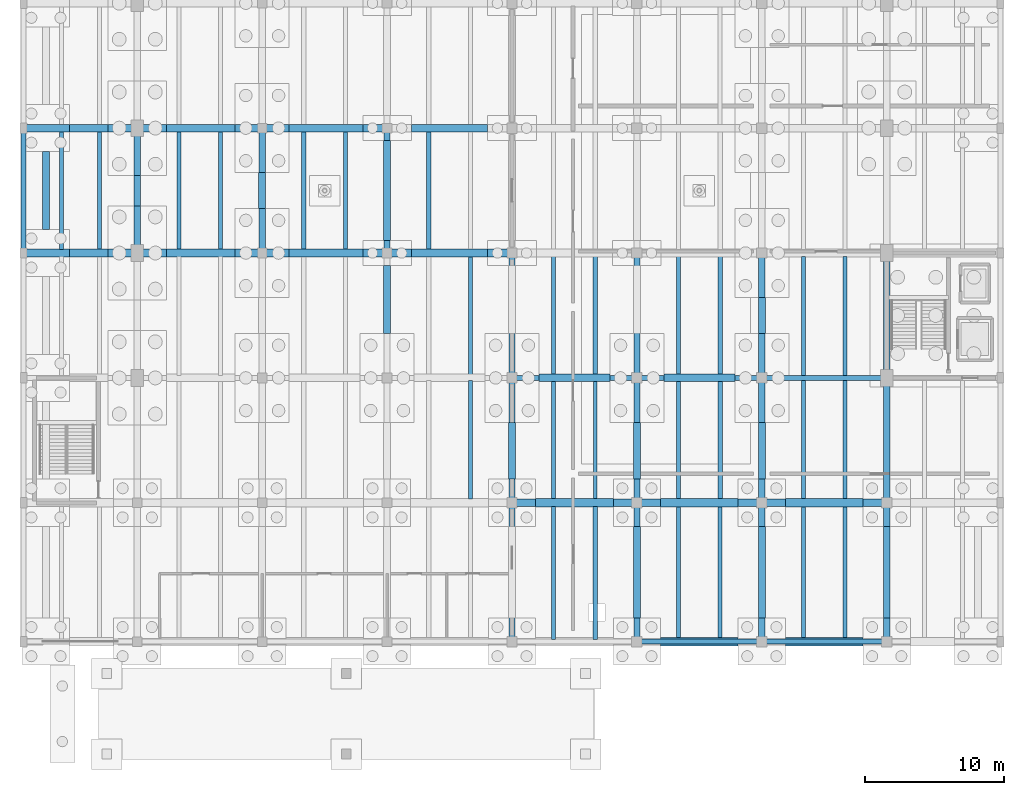
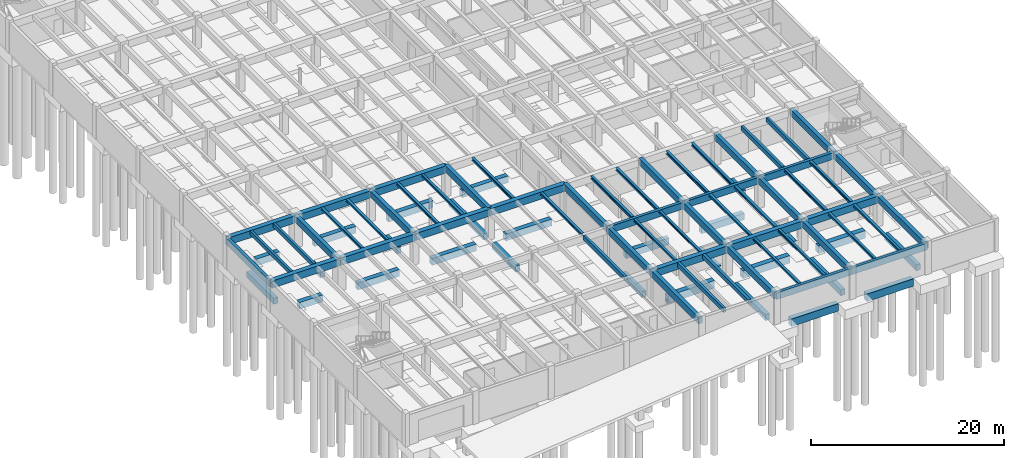
# One storey, part 12 of 23: 85 beams.
"""IFC4 building model written with IfcOpenShell, lengths in metres."""

import ifcopenshell
import ifcopenshell.guid

model = None  # the IFC model being written
_history = None  # IfcOwnerHistory: only IFC2X3 demands one
_inside = {}  # id of a spatial element -> (the spatial element, [elements in it])
_under = {}  # id of a project, library or spatial element -> (it, [spatial elements below it])
_declared = {}  # id of a project -> (the project, [libraries it declares])
_typed = {}  # id of a type object -> (the type object, [elements of that type])
_made_of = {}  # id of a material, layer set ... -> (it, [elements and type objects made of it])


def new_model(schema):
    """Start an empty IFC model of exactly this schema.

    Asked for "IFC4X3", IfcOpenShell would pick the latest addendum, in which some entities
    have other attributes; the version numbers below select the first issue.
    IFC2X3 requires an IfcOwnerHistory on every rooted entity: one is made here for all.
    """
    global model, _history
    if schema == "IFC4X3":
        model = ifcopenshell.file(schema_version=(4, 3, 0, 0))
    else:
        model = ifcopenshell.file(schema=schema)
    _inside.clear()
    _under.clear()
    _declared.clear()
    _typed.clear()
    _made_of.clear()
    _history = None
    if model.schema == "IFC2X3":
        org = make("IfcOrganization", Name="unknown")
        user = make(
            "IfcPersonAndOrganization",
            ThePerson=make("IfcPerson", FamilyName="unknown"),
            TheOrganization=org,
        )
        app = make(
            "IfcApplication",
            ApplicationDeveloper=org,
            Version="unknown",
            ApplicationFullName="unknown",
            ApplicationIdentifier="unknown",
        )
        _history = make(
            "IfcOwnerHistory",
            OwningUser=user,
            OwningApplication=app,
            ChangeAction="ADDED",
            CreationDate=0,
        )
    return model


def make(cls, **values):
    """One entity of the class cls with the attributes given. An attribute that is None is left unset."""
    return model.create_entity(
        cls, **{name: value for name, value in values.items() if value is not None}
    )


def rooted(cls, **values):
    """An entity with a GlobalId (a new one), such as an element, a storey or a relation."""
    return make(cls, GlobalId=ifcopenshell.guid.new(), OwnerHistory=_history, **values)


def si_unit(unit_type, name, prefix=None):
    """IfcSIUnit, for example si_unit("LENGTHUNIT", "METRE", prefix="MILLI")."""
    return make("IfcSIUnit", UnitType=unit_type, Prefix=prefix, Name=name)


def assignment(units):
    """IfcUnitAssignment: the units of a project."""
    return None if units is None else make("IfcUnitAssignment", Units=units)


def point(xyz):
    """IfcCartesianPoint."""
    return None if xyz is None else make("IfcCartesianPoint", Coordinates=xyz)


def direction(xyz):
    """IfcDirection."""
    return None if xyz is None else make("IfcDirection", DirectionRatios=xyz)


def frame(location, z_axis=None, x_axis=None):
    """IfcAxis2Placement3D, a coordinate frame: its origin and axes. An axis left out is left unset."""
    return make(
        "IfcAxis2Placement3D",
        Location=point(location),
        Axis=direction(z_axis),
        RefDirection=direction(x_axis),
    )


def frame_2d(location, x_axis=None):
    """IfcAxis2Placement2D, a coordinate frame in the plane: its origin and x axis."""
    return make(
        "IfcAxis2Placement2D", Location=point(location), RefDirection=direction(x_axis)
    )


def origin():
    """The frame at (0, 0, 0) with its axes left unset."""
    return frame((0.0, 0.0, 0.0))


def origin_2d():
    """The frame at (0, 0) in the plane with its x axis left unset."""
    return frame_2d((0.0, 0.0))


def place(relative_to, where):
    """IfcLocalPlacement: puts the frame where relative to a parent placement (None: the world)."""
    return make(
        "IfcLocalPlacement", PlacementRelTo=relative_to, RelativePlacement=where
    )


def context(
    kind, dimensions, precision=None, world=None, true_north=None, identifier=None
):
    """IfcGeometricRepresentationContext, for example the 3D "Model" context."""
    return make(
        "IfcGeometricRepresentationContext",
        ContextIdentifier=identifier,
        ContextType=kind,
        CoordinateSpaceDimension=dimensions,
        Precision=precision,
        WorldCoordinateSystem=world,
        TrueNorth=true_north,
    )


def subcontext(parent, identifier, kind, view, scale=None):
    """IfcGeometricRepresentationSubContext, for example "Body" below "Model"."""
    return make(
        "IfcGeometricRepresentationSubContext",
        ContextIdentifier=identifier,
        ContextType=kind,
        ParentContext=parent,
        TargetScale=scale,
        TargetView=view,
    )


def project(units=None, contexts=None):
    """IfcProject with its units and contexts."""
    return rooted(
        "IfcProject",
        Name="project",
        RepresentationContexts=contexts,
        UnitsInContext=assignment(units),
    )


def spatial(cls, under=None, at=None, **own):
    """A site, building, storey or space (cls), placed at a placement, below another one or the project."""
    s = rooted(cls, ObjectPlacement=at, **own)
    if under is not None:
        _under.setdefault(under.id(), (under, []))[1].append(s)
    return s


def profile(cls, at=None, kind="AREA", **sizes):
    """A parametric profile (cls). Its sizes go by their IFC names, for example OverallWidth=200.0."""
    return make(cls, ProfileType=kind, Position=at, **sizes)


def rectangle(**sizes):
    """IfcRectangleProfileDef."""
    return profile("IfcRectangleProfileDef", **sizes)


def i_section(**sizes):
    """IfcIShapeProfileDef."""
    return profile("IfcIShapeProfileDef", **sizes)


def extrude(swept, where, along, depth):
    """IfcExtrudedAreaSolid: the profile swept, set in the frame where, extruded along a direction by depth."""
    return make(
        "IfcExtrudedAreaSolid",
        SweptArea=swept,
        Position=where,
        ExtrudedDirection=direction(along),
        Depth=depth,
    )


def shape(context_of_items, identifier, shape_type, items):
    """IfcShapeRepresentation: the items that make up one representation, for example the "Body"."""
    return make(
        "IfcShapeRepresentation",
        ContextOfItems=context_of_items,
        RepresentationIdentifier=identifier,
        RepresentationType=shape_type,
        Items=items,
    )


def material(Name=None, Category=None):
    """IfcMaterial."""
    return make("IfcMaterial", Name=Name, Category=Category)


def material_profile(
    of_material, cross_section, Name=None, Category=None, Priority=None
):
    """IfcMaterialProfile: a cross section and its material."""
    return make(
        "IfcMaterialProfile",
        Name=Name,
        Material=of_material,
        Profile=cross_section,
        Priority=Priority,
        Category=Category,
    )


def profile_set(profiles, Name=None, composite=None):
    """IfcMaterialProfileSet."""
    return make(
        "IfcMaterialProfileSet",
        Name=Name,
        MaterialProfiles=profiles,
        CompositeProfile=composite,
    )


def made_of(thing, what):
    """Note that an element or type object is made of a material, layer set ...; save() writes the relation."""
    if what is not None:
        _made_of.setdefault(what.id(), (what, []))[1].append(thing)
    return thing


def type_object(cls, material=None, **own):
    """A type object (cls), such as IfcWallType, which elements share."""
    return made_of(rooted(cls, **own), material)


def element(
    cls,
    number,
    at=None,
    inside=None,
    cuts=None,
    type_object=None,
    material=None,
    context=None,
    identifier="Body",
    shape_type=None,
    held_by="IfcProductDefinitionShape",
    body=None,
    shapes=None,
    **own,
):
    """One element of the class cls, such as IfcWall. Its Tag is "e" and its number.

    at: its placement. inside: the storey or other place that contains it. cuts: it is an
    opening in that element (IfcRelVoidsElement). A single representation is given by context,
    identifier, shape_type and body (its items); several are given by shapes. held_by: the class
    of the entity that holds the representations. save() writes the other relations.
    """
    e = rooted(cls, Tag="e%d" % number, ObjectPlacement=at, **own)
    if body is not None:
        shapes = [shape(context, identifier, shape_type, body)]
    if shapes is not None:
        e.Representation = make(held_by, Representations=shapes)
    if inside is not None:
        _inside.setdefault(inside.id(), (inside, []))[1].append(e)
    if cuts is not None:
        rooted(
            "IfcRelVoidsElement", RelatingBuildingElement=cuts, RelatedOpeningElement=e
        )
    if type_object is not None:
        _typed.setdefault(type_object.id(), (type_object, []))[1].append(e)
    return made_of(e, material)


def aggregate(whole, parts):
    """IfcRelAggregates: a whole, such as a stair, and the parts it consists of."""
    return rooted("IfcRelAggregates", RelatingObject=whole, RelatedObjects=parts)


def save(model, path):
    """Write the relations noted so far, then the file.

    IfcRelAggregates (storeys below a building ...), IfcRelContainedInSpatialStructure (elements
    in a storey), IfcRelDefinesByType, IfcRelAssociatesMaterial and IfcRelDeclares: one each for
    every whole, place, type object, material and project.
    """
    for whole, parts in _under.values():
        aggregate(whole, parts)
    for where, things in _inside.values():
        rooted(
            "IfcRelContainedInSpatialStructure",
            RelatedElements=things,
            RelatingStructure=where,
        )
    for kind, things in _typed.values():
        rooted("IfcRelDefinesByType", RelatedObjects=things, RelatingType=kind)
    for what, things in _made_of.values():
        rooted("IfcRelAssociatesMaterial", RelatedObjects=things, RelatingMaterial=what)
    for by, libraries in _declared.values():
        rooted("IfcRelDeclares", RelatingContext=by, RelatedDefinitions=libraries)
    model.write(path)


model = new_model("IFC4")

# Units and contexts
model_context = context("Model", 3, precision=1e-05, world=origin(), true_north=direction((0.0, 1.0)))
body_context = subcontext(model_context, "Body", "Model", "MODEL_VIEW")
ifc_project = project(units=[si_unit("LENGTHUNIT", "METRE"), si_unit("AREAUNIT", "SQUARE_METRE"), si_unit("VOLUMEUNIT", "CUBIC_METRE"), si_unit("PLANEANGLEUNIT", "RADIAN"), si_unit("MASSUNIT", "GRAM", prefix="KILO")], contexts=[model_context])

# Site, building, storey
site_placement = place(None, origin())
site = spatial("IfcSite", under=ifc_project, at=site_placement, CompositionType="ELEMENT")
building_placement = place(site_placement, origin())
building = spatial("IfcBuilding", under=site, at=building_placement, Name="Ornek Quay Market", CompositionType="ELEMENT")
storey_placement = place(building_placement, frame((0.0, 0.0, -4.199951171875)))
storey = spatial("IfcBuildingStorey", under=building, at=storey_placement, Name="B1", CompositionType="ELEMENT", Elevation=-4.199951171875)

# Beams
ifc_material_1 = material(Name="Concrete C35/45", Category="concrete")
ifc_material_profile_1 = material_profile(ifc_material_1, rectangle(XDim=0.449951171875, YDim=0.800048828125, at=origin_2d()), Name="RC 450x800", Category="concrete")
ifc_profile_set_1 = profile_set([ifc_material_profile_1], Name="Concrete C35/45")
beam_type_1 = type_object("IfcBeamType", Name="BM-B1-450x800", PredefinedType="BEAM", material=ifc_profile_set_1)
beam_1_placement = place(storey_placement, frame((90.0, 10.0, 3.419921875), z_axis=(0.0, 1.0, 0.0), x_axis=(-1.0, 0.0, 0.0)))
element("IfcBeam", 1, at=beam_1_placement, inside=storey, type_object=beam_type_1, Name="Primary beam B-B1B-007", PredefinedType="BEAM", context=body_context, shape_type="SweptSolid", body=[
    extrude(rectangle(XDim=0.449951171875, YDim=0.800048828125, at=origin_2d()), origin(), (0.0, 0.0, 1.0), 10.0),
])
beam_2_placement = place(storey_placement, frame((90.0, 20.0, 3.419921875), z_axis=(0.0, 1.0, 0.0), x_axis=(-1.0, 0.0, 0.0)))
element("IfcBeam", 2, at=beam_2_placement, inside=storey, type_object=beam_type_1, Name="Primary beam B-B1B-008", PredefinedType="BEAM", context=body_context, shape_type="SweptSolid", body=[
    extrude(rectangle(XDim=0.449951171875, YDim=0.800048828125, at=origin_2d()), origin(), (0.0, 0.0, 1.0), 9.0),
])
beam_3_placement = place(storey_placement, frame((99.0, 10.0, 3.419921875), z_axis=(0.0, 1.0, 0.0), x_axis=(-1.0, 0.0, 0.0)))
element("IfcBeam", 3, at=beam_3_placement, inside=storey, type_object=beam_type_1, Name="Primary beam B-B1B-009", PredefinedType="BEAM", context=body_context, shape_type="SweptSolid", body=[
    extrude(rectangle(XDim=0.449951171875, YDim=0.800048828125, at=origin_2d()), origin(), (0.0, 0.0, 1.0), 10.0),
])
beam_4_placement = place(storey_placement, frame((99.0, 20.0, 3.419921875), z_axis=(0.0, 1.0, 0.0), x_axis=(-1.0, 0.0, 0.0)))
element("IfcBeam", 4, at=beam_4_placement, inside=storey, type_object=beam_type_1, Name="Primary beam B-B1B-010", PredefinedType="BEAM", context=body_context, shape_type="SweptSolid", body=[
    extrude(rectangle(XDim=0.449951171875, YDim=0.800048828125, at=origin_2d()), origin(), (0.0, 0.0, 1.0), 9.0),
])
beam_5_placement = place(storey_placement, frame((108.0, 10.0, 3.419921875), z_axis=(0.0, 1.0, 0.0), x_axis=(-1.0, 0.0, 0.0)))
element("IfcBeam", 5, at=beam_5_placement, inside=storey, type_object=beam_type_1, Name="Primary beam B-B1B-011", PredefinedType="BEAM", context=body_context, shape_type="SweptSolid", body=[
    extrude(rectangle(XDim=0.449951171875, YDim=0.800048828125, at=origin_2d()), origin(), (0.0, 0.0, 1.0), 10.0),
])
beam_6_placement = place(storey_placement, frame((108.0, 20.0, 3.419921875), z_axis=(0.0, 1.0, 0.0), x_axis=(-1.0, 0.0, 0.0)))
element("IfcBeam", 6, at=beam_6_placement, inside=storey, type_object=beam_type_1, Name="Primary beam B-B1B-012", PredefinedType="BEAM", context=body_context, shape_type="SweptSolid", body=[
    extrude(rectangle(XDim=0.449951171875, YDim=0.800048828125, at=origin_2d()), origin(), (0.0, 0.0, 1.0), 9.0),
])
beam_7_placement = place(storey_placement, frame((117.0, 10.0, 3.419921875), z_axis=(0.0, 1.0, 0.0), x_axis=(-1.0, 0.0, 0.0)))
element("IfcBeam", 7, at=beam_7_placement, inside=storey, type_object=beam_type_1, Name="Primary beam B-B1B-013", PredefinedType="BEAM", context=body_context, shape_type="SweptSolid", body=[
    extrude(rectangle(XDim=0.449951171875, YDim=0.800048828125, at=origin_2d()), origin(), (0.0, 0.0, 1.0), 10.0),
])
for number, where, z_axis, x_axis, name in (
    (8, (117.0, 20.0, 3.419921875), (0.0, 1.0, 0.0), (-1.0, 0.0, 0.0), "Primary beam B-B1B-014"),
    (9, (63.0, 38.0, 3.4599609375), (0.0, 1.0, 0.0), (-1.0, 0.0, 0.0), "Primary beam B-B1B-016"),
    (10, (72.0, 38.0, 3.4599609375), (0.0, 1.0, 0.0), (-1.0, 0.0, 0.0), "Primary beam B-B1B-025"),
    (11, (81.0, 38.0, 3.4599609375), (0.0, 1.0, 0.0), (-1.0, 0.0, 0.0), "Primary beam B-B1B-034"),
    (12, (90.0, 29.0, 3.4599609375), (0.0, 1.0, 0.0), (-1.0, 0.0, 0.0), "Primary beam B-B1B-042"),
    (13, (99.0, 29.0, 3.4599609375), (0.0, 1.0, 0.0), (-1.0, 0.0, 0.0), "Primary beam B-B1B-051"),
    (14, (108.0, 29.0, 3.4599609375), (0.0, 1.0, 0.0), (-1.0, 0.0, 0.0), "Primary beam B-B1B-060"),
    (15, (117.0, 29.0, 3.4599609375), (0.0, 1.0, 0.0), (-1.0, 0.0, 0.0), "Primary beam B-B1B-069"),
):
    element("IfcBeam", number, at=place(storey_placement, frame(where, z_axis=z_axis, x_axis=x_axis)), inside=storey, type_object=beam_type_1, Name=name, PredefinedType="BEAM", context=body_context, shape_type="SweptSolid", body=[
        extrude(rectangle(XDim=0.449951171875, YDim=0.800048828125, at=origin_2d()), origin(), (0.0, 0.0, 1.0), 9.0),
    ])
ifc_material_2 = material(Name="Concrete C40/50", Category="concrete")
ifc_material_profile_2 = material_profile(ifc_material_2, rectangle(XDim=0.550048828125, YDim=0.89990234375, at=origin_2d()), Name="RC 550x900", Category="concrete")
ifc_profile_set_2 = profile_set([ifc_material_profile_2], Name="Concrete C40/50")
beam_type_2 = type_object("IfcBeamType", Name="BM-B1-550x900", PredefinedType="BEAM", material=ifc_profile_set_2)
for number, where, z_axis, x_axis, name in (
    (16, (90.0, 20.0, 3.369873046875), (1.0, 0.0, 0.0), (0.0, 1.0, 0.0), "Primary beam B-B1A-005"),
    (17, (99.0, 20.0, 3.369873046875), (1.0, 0.0, 0.0), (0.0, 1.0, 0.0), "Primary beam B-B1A-006"),
    (18, (108.0, 20.0, 3.369873046875), (1.0, 0.0, 0.0), (0.0, 1.0, 0.0), "Primary beam B-B1A-007"),
):
    element("IfcBeam", number, at=place(storey_placement, frame(where, z_axis=z_axis, x_axis=x_axis)), inside=storey, type_object=beam_type_2, Name=name, PredefinedType="BEAM", context=body_context, shape_type="SweptSolid", body=[
        extrude(rectangle(XDim=0.550048828125, YDim=0.89990234375, at=origin_2d()), origin(), (0.0, 0.0, 1.0), 9.0),
    ])
beam_8_placement = place(storey_placement, frame((54.800048828125, 38.0, 3.409912109375), z_axis=(1.0, 0.0, 0.0), x_axis=(0.0, 1.0, 0.0)))
element("IfcBeam", 19, at=beam_8_placement, inside=storey, type_object=beam_type_2, Name="Primary beam B-B1A-009", PredefinedType="BEAM", context=body_context, shape_type="SweptSolid", body=[
    extrude(rectangle(XDim=0.550048828125, YDim=0.89990234375, at=origin_2d()), origin(), (0.0, 0.0, 1.0), 8.199951171875),
])
for number, where, z_axis, x_axis, name in (
    (20, (63.0, 38.0, 3.409912109375), (1.0, 0.0, 0.0), (0.0, 1.0, 0.0), "Primary beam B-B1A-010"),
    (21, (72.0, 38.0, 3.409912109375), (1.0, 0.0, 0.0), (0.0, 1.0, 0.0), "Primary beam B-B1A-011"),
    (22, (81.0, 38.0, 3.409912109375), (1.0, 0.0, 0.0), (0.0, 1.0, 0.0), "Primary beam B-B1A-012"),
):
    element("IfcBeam", number, at=place(storey_placement, frame(where, z_axis=z_axis, x_axis=x_axis)), inside=storey, type_object=beam_type_2, Name=name, PredefinedType="BEAM", context=body_context, shape_type="SweptSolid", body=[
        extrude(rectangle(XDim=0.550048828125, YDim=0.89990234375, at=origin_2d()), origin(), (0.0, 0.0, 1.0), 9.0),
    ])
beam_9_placement = place(storey_placement, frame((54.800048828125, 47.0, 3.409912109375), z_axis=(1.0, 0.0, 0.0), x_axis=(0.0, 1.0, 0.0)))
element("IfcBeam", 23, at=beam_9_placement, inside=storey, type_object=beam_type_2, Name="Primary beam B-B1A-017", PredefinedType="BEAM", context=body_context, shape_type="SweptSolid", body=[
    extrude(rectangle(XDim=0.550048828125, YDim=0.89990234375, at=origin_2d()), origin(), (0.0, 0.0, 1.0), 8.199951171875),
])
for number, where, z_axis, x_axis, name in (
    (24, (63.0, 47.0, 3.409912109375), (1.0, 0.0, 0.0), (0.0, 1.0, 0.0), "Primary beam B-B1A-018"),
    (25, (72.0, 47.0, 3.409912109375), (1.0, 0.0, 0.0), (0.0, 1.0, 0.0), "Primary beam B-B1A-019"),
):
    element("IfcBeam", number, at=place(storey_placement, frame(where, z_axis=z_axis, x_axis=x_axis)), inside=storey, type_object=beam_type_2, Name=name, PredefinedType="BEAM", context=body_context, shape_type="SweptSolid", body=[
        extrude(rectangle(XDim=0.550048828125, YDim=0.89990234375, at=origin_2d()), origin(), (0.0, 0.0, 1.0), 9.0),
    ])
ifc_material_profile_3 = material_profile(ifc_material_1, rectangle(XDim=0.5, YDim=0.75, at=origin_2d()), Name="RC 500x750", Category="concrete")
ifc_profile_set_3 = profile_set([ifc_material_profile_3], Name="Concrete C35/45")
beam_type_3 = type_object("IfcBeamType", Name="BM-GB-500x750", PredefinedType="BEAM", material=ifc_profile_set_3)
beam_10_placement = place(storey_placement, frame((56.419921875, 39.699951171875, -0.375), z_axis=(0.0, 1.0, 0.0), x_axis=(-1.0, 0.0, 0.0)))
element("IfcBeam", 26, at=beam_10_placement, inside=storey, type_object=beam_type_3, Name="Ground tie beam GB-213", PredefinedType="BEAM", context=body_context, shape_type="SweptSolid", body=[
    extrude(rectangle(XDim=0.5, YDim=0.75, at=origin_2d()), origin(), (0.0, 0.0, 1.0), 5.60009765625),
])
beam_11_placement = place(storey_placement, frame((63.0, 41.39990234375, -0.375), z_axis=(0.0, 1.0, 0.0), x_axis=(-1.0, 0.0, 0.0)))
element("IfcBeam", 27, at=beam_11_placement, inside=storey, type_object=beam_type_3, Name="Ground tie beam GB-222", PredefinedType="BEAM", context=body_context, shape_type="SweptSolid", body=[
    extrude(rectangle(XDim=0.5, YDim=0.75, at=origin_2d()), origin(), (0.0, 0.0, 1.0), 2.2001953125),
])
beam_12_placement = place(storey_placement, frame((72.0, 41.199951171875, -0.375), z_axis=(0.0, 1.0, 0.0), x_axis=(-1.0, 0.0, 0.0)))
element("IfcBeam", 28, at=beam_12_placement, inside=storey, type_object=beam_type_3, Name="Ground tie beam GB-231", PredefinedType="BEAM", context=body_context, shape_type="SweptSolid", body=[
    extrude(rectangle(XDim=0.5, YDim=0.75, at=origin_2d()), origin(), (0.0, 0.0, 1.0), 2.60009765625),
])
beam_13_placement = place(storey_placement, frame((81.0, 32.199951171875, -0.375), z_axis=(0.0, 1.0, 0.0), x_axis=(-1.0, 0.0, 0.0)))
element("IfcBeam", 29, at=beam_13_placement, inside=storey, type_object=beam_type_3, Name="Ground tie beam GB-242", PredefinedType="BEAM", context=body_context, shape_type="SweptSolid", body=[
    extrude(rectangle(XDim=0.5, YDim=0.75, at=origin_2d()), origin(), (0.0, 0.0, 1.0), 4.900146484375),
])
beam_14_placement = place(storey_placement, frame((81.0, 38.89990234375, -0.375), z_axis=(0.0, 1.0, 0.0), x_axis=(-1.0, 0.0, 0.0)))
element("IfcBeam", 30, at=beam_14_placement, inside=storey, type_object=beam_type_3, Name="Ground tie beam GB-243", PredefinedType="BEAM", context=body_context, shape_type="SweptSolid", body=[
    extrude(rectangle(XDim=0.5, YDim=0.75, at=origin_2d()), origin(), (0.0, 0.0, 1.0), 7.2001953125),
])
beam_15_placement = place(storey_placement, frame((90.0, 21.699951171875, -0.375), z_axis=(0.0, 1.0, 0.0), x_axis=(-1.0, 0.0, 0.0)))
element("IfcBeam", 31, at=beam_15_placement, inside=storey, type_object=beam_type_3, Name="Ground tie beam GB-253", PredefinedType="BEAM", context=body_context, shape_type="SweptSolid", body=[
    extrude(rectangle(XDim=0.5, YDim=0.75, at=origin_2d()), origin(), (0.0, 0.0, 1.0), 4.10009765625),
])
beam_16_placement = place(storey_placement, frame((99.0, 11.699951171875, -0.375), z_axis=(0.0, 1.0, 0.0), x_axis=(-1.0, 0.0, 0.0)))
element("IfcBeam", 32, at=beam_16_placement, inside=storey, type_object=beam_type_3, Name="Ground tie beam GB-264", PredefinedType="BEAM", context=body_context, shape_type="SweptSolid", body=[
    extrude(rectangle(XDim=0.5, YDim=0.75, at=origin_2d()), origin(), (0.0, 0.0, 1.0), 6.60009765625),
])
beam_17_placement = place(storey_placement, frame((99.0, 21.699951171875, -0.375), z_axis=(0.0, 1.0, 0.0), x_axis=(-1.0, 0.0, 0.0)))
element("IfcBeam", 33, at=beam_17_placement, inside=storey, type_object=beam_type_3, Name="Ground tie beam GB-265", PredefinedType="BEAM", context=body_context, shape_type="SweptSolid", body=[
    extrude(rectangle(XDim=0.5, YDim=0.75, at=origin_2d()), origin(), (0.0, 0.0, 1.0), 4.10009765625),
])
beam_18_placement = place(storey_placement, frame((108.0, 11.699951171875, -0.375), z_axis=(0.0, 1.0, 0.0), x_axis=(-1.0, 0.0, 0.0)))
element("IfcBeam", 34, at=beam_18_placement, inside=storey, type_object=beam_type_3, Name="Ground tie beam GB-276", PredefinedType="BEAM", context=body_context, shape_type="SweptSolid", body=[
    extrude(rectangle(XDim=0.5, YDim=0.75, at=origin_2d()), origin(), (0.0, 0.0, 1.0), 6.60009765625),
])
beam_19_placement = place(storey_placement, frame((108.0, 21.699951171875, -0.375), z_axis=(0.0, 1.0, 0.0), x_axis=(-1.0, 0.0, 0.0)))
element("IfcBeam", 35, at=beam_19_placement, inside=storey, type_object=beam_type_3, Name="Ground tie beam GB-277", PredefinedType="BEAM", context=body_context, shape_type="SweptSolid", body=[
    extrude(rectangle(XDim=0.5, YDim=0.75, at=origin_2d()), origin(), (0.0, 0.0, 1.0), 4.10009765625),
])
beam_20_placement = place(storey_placement, frame((108.0, 32.199951171875, -0.375), z_axis=(0.0, 1.0, 0.0), x_axis=(-1.0, 0.0, 0.0)))
element("IfcBeam", 36, at=beam_20_placement, inside=storey, type_object=beam_type_3, Name="Ground tie beam GB-278", PredefinedType="BEAM", context=body_context, shape_type="SweptSolid", body=[
    extrude(rectangle(XDim=0.5, YDim=0.75, at=origin_2d()), origin(), (0.0, 0.0, 1.0), 2.60009765625),
])
beam_21_placement = place(storey_placement, frame((117.0, 11.699951171875, -0.375), z_axis=(0.0, 1.0, 0.0), x_axis=(-1.0, 0.0, 0.0)))
element("IfcBeam", 37, at=beam_21_placement, inside=storey, type_object=beam_type_3, Name="Ground tie beam GB-288", PredefinedType="BEAM", context=body_context, shape_type="SweptSolid", body=[
    extrude(rectangle(XDim=0.5, YDim=0.75, at=origin_2d()), origin(), (0.0, 0.0, 1.0), 6.60009765625),
])
ifc_material_profile_4 = material_profile(ifc_material_1, rectangle(XDim=0.550048828125, YDim=0.85009765625, at=origin_2d()), Name="RC 550x850", Category="concrete")
ifc_profile_set_4 = profile_set([ifc_material_profile_4], Name="Concrete C35/45")
beam_type_4 = type_object("IfcBeamType", Name="BM-GB-550x850", PredefinedType="BEAM", material=ifc_profile_set_4)
for number, where, z_axis, x_axis, name in (
    (38, (91.949951171875, 29.0, -0.425048828125), (1.0, 0.0, 0.0), (0.0, 1.0, 0.0), "Ground tie beam GB-134"),
    (39, (100.949951171875, 29.0, -0.425048828125), (1.0, 0.0, 0.0), (0.0, 1.0, 0.0), "Ground tie beam GB-135"),
):
    element("IfcBeam", number, at=place(storey_placement, frame(where, z_axis=z_axis, x_axis=x_axis)), inside=storey, type_object=beam_type_4, Name=name, PredefinedType="BEAM", context=body_context, shape_type="SweptSolid", body=[
        extrude(rectangle(XDim=0.550048828125, YDim=0.85009765625, at=origin_2d()), origin(), (0.0, 0.0, 1.0), 5.10009765625),
    ])
beam_22_placement = place(storey_placement, frame((58.1201171875, 38.0, -0.425048828125), z_axis=(1.0, 0.0, 0.0), x_axis=(0.0, 1.0, 0.0)))
element("IfcBeam", 40, at=beam_22_placement, inside=storey, type_object=beam_type_4, Name="Ground tie beam GB-136", PredefinedType="BEAM", context=body_context, shape_type="SweptSolid", body=[
    extrude(rectangle(XDim=0.550048828125, YDim=0.85009765625, at=origin_2d()), origin(), (0.0, 0.0, 1.0), 2.77978515625),
])
beam_23_placement = place(storey_placement, frame((65.10009765625, 38.0, -0.425048828125), z_axis=(1.0, 0.0, 0.0), x_axis=(0.0, 1.0, 0.0)))
element("IfcBeam", 41, at=beam_23_placement, inside=storey, type_object=beam_type_4, Name="Ground tie beam GB-137", PredefinedType="BEAM", context=body_context, shape_type="SweptSolid", body=[
    extrude(rectangle(XDim=0.550048828125, YDim=0.85009765625, at=origin_2d()), origin(), (0.0, 0.0, 1.0), 4.949951171875),
])
beam_24_placement = place(storey_placement, frame((73.949951171875, 38.0, -0.425048828125), z_axis=(1.0, 0.0, 0.0), x_axis=(0.0, 1.0, 0.0)))
element("IfcBeam", 42, at=beam_24_placement, inside=storey, type_object=beam_type_4, Name="Ground tie beam GB-138", PredefinedType="BEAM", context=body_context, shape_type="SweptSolid", body=[
    extrude(rectangle(XDim=0.550048828125, YDim=0.85009765625, at=origin_2d()), origin(), (0.0, 0.0, 1.0), 5.300048828125),
])
beam_25_placement = place(storey_placement, frame((82.75, 38.0, -0.425048828125), z_axis=(1.0, 0.0, 0.0), x_axis=(0.0, 1.0, 0.0)))
element("IfcBeam", 43, at=beam_25_placement, inside=storey, type_object=beam_type_4, Name="Ground tie beam GB-139", PredefinedType="BEAM", context=body_context, shape_type="SweptSolid", body=[
    extrude(rectangle(XDim=0.550048828125, YDim=0.85009765625, at=origin_2d()), origin(), (0.0, 0.0, 1.0), 5.5),
])
beam_26_placement = place(storey_placement, frame((58.1201171875, 47.0, -0.425048828125), z_axis=(1.0, 0.0, 0.0), x_axis=(0.0, 1.0, 0.0)))
element("IfcBeam", 44, at=beam_26_placement, inside=storey, type_object=beam_type_4, Name="Ground tie beam GB-142", PredefinedType="BEAM", context=body_context, shape_type="SweptSolid", body=[
    extrude(rectangle(XDim=0.550048828125, YDim=0.85009765625, at=origin_2d()), origin(), (0.0, 0.0, 1.0), 2.77978515625),
])
beam_27_placement = place(storey_placement, frame((65.10009765625, 47.0, -0.425048828125), z_axis=(1.0, 0.0, 0.0), x_axis=(0.0, 1.0, 0.0)))
element("IfcBeam", 45, at=beam_27_placement, inside=storey, type_object=beam_type_4, Name="Ground tie beam GB-143", PredefinedType="BEAM", context=body_context, shape_type="SweptSolid", body=[
    extrude(rectangle(XDim=0.550048828125, YDim=0.85009765625, at=origin_2d()), origin(), (0.0, 0.0, 1.0), 4.949951171875),
])
beam_28_placement = place(storey_placement, frame((73.949951171875, 47.0, -0.425048828125), z_axis=(1.0, 0.0, 0.0), x_axis=(0.0, 1.0, 0.0)))
element("IfcBeam", 46, at=beam_28_placement, inside=storey, type_object=beam_type_4, Name="Ground tie beam GB-144", PredefinedType="BEAM", context=body_context, shape_type="SweptSolid", body=[
    extrude(rectangle(XDim=0.550048828125, YDim=0.85009765625, at=origin_2d()), origin(), (0.0, 0.0, 1.0), 5.300048828125),
])
beam_29_placement = place(storey_placement, frame((82.75, 47.0, -0.425048828125), z_axis=(1.0, 0.0, 0.0), x_axis=(0.0, 1.0, 0.0)))
element("IfcBeam", 47, at=beam_29_placement, inside=storey, type_object=beam_type_4, Name="Ground tie beam GB-145", PredefinedType="BEAM", context=body_context, shape_type="SweptSolid", body=[
    extrude(rectangle(XDim=0.550048828125, YDim=0.85009765625, at=origin_2d()), origin(), (0.0, 0.0, 1.0), 5.5),
])
ifc_material_profile_5 = material_profile(ifc_material_1, rectangle(XDim=0.60009765625, YDim=0.949951171875, at=origin_2d()), Name="RC 600x950", Category="concrete")
ifc_profile_set_5 = profile_set([ifc_material_profile_5], Name="Concrete C35/45")
beam_type_5 = type_object("IfcBeamType", Name="BM-GB-600x950", PredefinedType="BEAM", material=ifc_profile_set_5)
for number, where, z_axis, x_axis, name in (
    (48, (100.699951171875, 10.0, -0.47509765625), (1.0, 0.0, 0.0), (0.0, 1.0, 0.0), "Ground tie beam GB-119"),
    (49, (109.699951171875, 10.0, -0.47509765625), (1.0, 0.0, 0.0), (0.0, 1.0, 0.0), "Ground tie beam GB-120"),
    (50, (91.699951171875, 20.0, -0.47509765625), (1.0, 0.0, 0.0), (0.0, 1.0, 0.0), "Ground tie beam GB-126"),
    (51, (100.699951171875, 20.0, -0.47509765625), (1.0, 0.0, 0.0), (0.0, 1.0, 0.0), "Ground tie beam GB-127"),
    (52, (109.699951171875, 20.0, -0.47509765625), (1.0, 0.0, 0.0), (0.0, 1.0, 0.0), "Ground tie beam GB-128"),
):
    element("IfcBeam", number, at=place(storey_placement, frame(where, z_axis=z_axis, x_axis=x_axis)), inside=storey, type_object=beam_type_5, Name=name, PredefinedType="BEAM", context=body_context, shape_type="SweptSolid", body=[
        extrude(rectangle(XDim=0.60009765625, YDim=0.949951171875, at=origin_2d()), origin(), (0.0, 0.0, 1.0), 5.60009765625),
    ])
ifc_material_profile_6 = material_profile(ifc_material_1, rectangle(XDim=0.280029296875, YDim=0.5, at=origin_2d()), Name="RC 280x500", Category="concrete")
ifc_profile_set_6 = profile_set([ifc_material_profile_6], Name="Concrete C35/45")
beam_type_6 = type_object("IfcBeamType", Name="BM-SEC-280x500", PredefinedType="JOIST", material=ifc_profile_set_6)
for number, where, z_axis, x_axis, name in (
    (53, (57.533203125, 38.26708984375, 3.60986328125), (0.0, 1.0, 0.0), (-1.0, 0.0, 0.0), "Secondary joist B-SC2-001"),
    (54, (60.2666015625, 38.26708984375, 3.60986328125), (0.0, 1.0, 0.0), (-1.0, 0.0, 0.0), "Secondary joist B-SC2-002"),
):
    element("IfcBeam", number, at=place(storey_placement, frame(where, z_axis=z_axis, x_axis=x_axis)), inside=storey, type_object=beam_type_6, Name=name, PredefinedType="JOIST", context=body_context, shape_type="SweptSolid", body=[
        extrude(rectangle(XDim=0.280029296875, YDim=0.5, at=origin_2d()), origin(), (0.0, 0.0, 1.0), 8.4658203125),
    ])
ifc_material_profile_7 = material_profile(ifc_material_1, rectangle(XDim=0.300048828125, YDim=0.550048828125, at=origin_2d()), Name="RC 300x550", Category="concrete")
ifc_profile_set_7 = profile_set([ifc_material_profile_7], Name="Concrete C35/45")
beam_type_7 = type_object("IfcBeamType", Name="BM-SEC-300x550", PredefinedType="JOIST", material=ifc_profile_set_7)
beam_30_placement = place(storey_placement, frame((87.0, 20.26708984375, 3.544921875), z_axis=(0.0, 1.0, 0.0), x_axis=(-1.0, 0.0, 0.0)))
element("IfcBeam", 55, at=beam_30_placement, inside=storey, type_object=beam_type_7, Name="Secondary joist B-SC1-004", PredefinedType="JOIST", context=body_context, shape_type="SweptSolid", body=[
    extrude(rectangle(XDim=0.300048828125, YDim=0.550048828125, at=origin_2d()), origin(), (0.0, 0.0, 1.0), 8.56591796875),
])
for number, where, z_axis, x_axis, name in (
    (56, (93.0, 10.1669921875, 3.544921875), (0.0, 1.0, 0.0), (-1.0, 0.0, 0.0), "Secondary joist B-SC1-005"),
    (57, (96.0, 10.1669921875, 3.544921875), (0.0, 1.0, 0.0), (-1.0, 0.0, 0.0), "Secondary joist B-SC1-006"),
):
    element("IfcBeam", number, at=place(storey_placement, frame(where, z_axis=z_axis, x_axis=x_axis)), inside=storey, type_object=beam_type_7, Name=name, PredefinedType="JOIST", context=body_context, shape_type="SweptSolid", body=[
        extrude(rectangle(XDim=0.300048828125, YDim=0.550048828125, at=origin_2d()), origin(), (0.0, 0.0, 1.0), 9.56591796875),
    ])
for number, where, z_axis, x_axis, name in (
    (58, (111.0, 29.1669921875, 3.5849609375), (0.0, 1.0, 0.0), (-1.0, 0.0, 0.0), "Secondary joist B-SC1-027"),
    (59, (114.0, 29.1669921875, 3.5849609375), (0.0, 1.0, 0.0), (-1.0, 0.0, 0.0), "Secondary joist B-SC1-028"),
):
    element("IfcBeam", number, at=place(storey_placement, frame(where, z_axis=z_axis, x_axis=x_axis)), inside=storey, type_object=beam_type_7, Name=name, PredefinedType="JOIST", context=body_context, shape_type="SweptSolid", body=[
        extrude(rectangle(XDim=0.300048828125, YDim=0.550048828125, at=origin_2d()), origin(), (0.0, 0.0, 1.0), 8.56591796875),
    ])
ifc_material_profile_8 = material_profile(ifc_material_2, rectangle(XDim=0.35009765625, YDim=0.85009765625, at=origin_2d()), Name="RC 350x850", Category="concrete")
ifc_profile_set_8 = profile_set([ifc_material_profile_8], Name="Concrete C40/50")
beam_type_8 = type_object("IfcBeamType", Name="BM-SPN-350x850", PredefinedType="SPANDREL", material=ifc_profile_set_8)
for number, where, z_axis, x_axis, name in (
    (60, (99.0, 10.0, 3.39501953125), (1.0, 0.0, 0.0), (0.0, 1.0, 0.0), "Primary beam B-SP1-006"),
    (61, (108.0, 10.0, 3.39501953125), (1.0, 0.0, 0.0), (0.0, 1.0, 0.0), "Primary beam B-SP1-007"),
    (62, (90.0, 29.0, 3.39501953125), (1.0, 0.0, 0.0), (0.0, 1.0, 0.0), "Primary beam B-SP1-013"),
    (63, (99.0, 29.0, 3.39501953125), (1.0, 0.0, 0.0), (0.0, 1.0, 0.0), "Primary beam B-SP1-014"),
    (64, (108.0, 29.0, 3.39501953125), (1.0, 0.0, 0.0), (0.0, 1.0, 0.0), "Primary beam B-SP1-015"),
    (65, (54.800048828125, 38.0, 3.43505859375), (0.0, 1.0, 0.0), (-1.0, 0.0, 0.0), "Primary beam B-SP1-030"),
):
    element("IfcBeam", number, at=place(storey_placement, frame(where, z_axis=z_axis, x_axis=x_axis)), inside=storey, type_object=beam_type_8, Name=name, PredefinedType="SPANDREL", context=body_context, shape_type="SweptSolid", body=[
        extrude(rectangle(XDim=0.35009765625, YDim=0.85009765625, at=origin_2d()), origin(), (0.0, 0.0, 1.0), 9.0),
    ])
ifc_material_3 = material(Name="Steel S355", Category="steel")
ifc_material_profile_9 = material_profile(ifc_material_3, i_section(OverallWidth=0.300048828125, OverallDepth=0.2900390625, WebThickness=0.008544921875, FlangeThickness=0.013916015625, FilletRadius=0.027099609375, at=origin_2d()), Name="HEA 300", Category="steel")
ifc_profile_set_9 = profile_set([ifc_material_profile_9], Name="Steel S355")
beam_type_9 = type_object("IfcBeamType", Name="BM-STL-HEA300", PredefinedType="BEAM", material=ifc_profile_set_9)
for number, where, z_axis, x_axis, name in (
    (66, (66.0, 38.26708984375, 3.71484375), (0.0, 1.0, 0.0), (-1.0, 0.0, 0.0), "Secondary joist SB-17-005"),
    (67, (69.0, 38.26708984375, 3.71484375), (0.0, 1.0, 0.0), (-1.0, 0.0, 0.0), "Secondary joist SB-17-006"),
):
    element("IfcBeam", number, at=place(storey_placement, frame(where, z_axis=z_axis, x_axis=x_axis)), inside=storey, type_object=beam_type_9, Name=name, PredefinedType="BEAM", context=body_context, shape_type="SweptSolid", body=[
        extrude(i_section(OverallWidth=0.300048828125, OverallDepth=0.2900390625, WebThickness=0.008544921875, FlangeThickness=0.013916015625, FilletRadius=0.027099609375, at=origin_2d()), origin(), (0.0, 0.0, 1.0), 8.4658203125),
    ])
ifc_material_profile_10 = material_profile(ifc_material_3, i_section(OverallWidth=0.300048828125, OverallDepth=0.31005859375, WebThickness=0.009033203125, FlangeThickness=0.015380859375, FilletRadius=0.027099609375, at=origin_2d()), Name="HEA 320", Category="steel")
ifc_profile_set_10 = profile_set([ifc_material_profile_10], Name="Steel S355")
beam_type_10 = type_object("IfcBeamType", Name="BM-STL-HEA320", PredefinedType="BEAM", material=ifc_profile_set_10)
for number, where, z_axis, x_axis, name in (
    (68, (75.0, 38.26708984375, 3.704833984375), (0.0, 1.0, 0.0), (-1.0, 0.0, 0.0), "Secondary joist SB-18-007"),
    (69, (78.0, 38.26708984375, 3.704833984375), (0.0, 1.0, 0.0), (-1.0, 0.0, 0.0), "Secondary joist SB-18-008"),
):
    element("IfcBeam", number, at=place(storey_placement, frame(where, z_axis=z_axis, x_axis=x_axis)), inside=storey, type_object=beam_type_10, Name=name, PredefinedType="BEAM", context=body_context, shape_type="SweptSolid", body=[
        extrude(i_section(OverallWidth=0.300048828125, OverallDepth=0.31005859375, WebThickness=0.009033203125, FlangeThickness=0.015380859375, FilletRadius=0.027099609375, at=origin_2d()), origin(), (0.0, 0.0, 1.0), 8.4658203125),
    ])
beam_31_placement = place(storey_placement, frame((87.0, 29.1669921875, 3.704833984375), z_axis=(0.0, 1.0, 0.0), x_axis=(-1.0, 0.0, 0.0)))
element("IfcBeam", 70, at=beam_31_placement, inside=storey, type_object=beam_type_10, Name="Secondary joist SB-18-012", PredefinedType="BEAM", context=body_context, shape_type="SweptSolid", body=[
    extrude(i_section(OverallWidth=0.300048828125, OverallDepth=0.31005859375, WebThickness=0.009033203125, FlangeThickness=0.015380859375, FilletRadius=0.027099609375, at=origin_2d()), origin(), (0.0, 0.0, 1.0), 8.56591796875),
])
ifc_material_profile_11 = material_profile(ifc_material_3, i_section(OverallWidth=0.300048828125, OverallDepth=0.35009765625, WebThickness=0.010009765625, FlangeThickness=0.017578125, FilletRadius=0.027099609375, at=origin_2d()), Name="HEA 360", Category="steel")
ifc_profile_set_11 = profile_set([ifc_material_profile_11], Name="Steel S355")
beam_type_11 = type_object("IfcBeamType", Name="BM-STL-HEA360", PredefinedType="BEAM", material=ifc_profile_set_11)
beam_32_placement = place(storey_placement, frame((84.0, 38.26708984375, 3.68505859375), z_axis=(0.0, 1.0, 0.0), x_axis=(-1.0, 0.0, 0.0)))
element("IfcBeam", 71, at=beam_32_placement, inside=storey, type_object=beam_type_11, Name="Secondary joist SB-19-009", PredefinedType="BEAM", context=body_context, shape_type="SweptSolid", body=[
    extrude(i_section(OverallWidth=0.300048828125, OverallDepth=0.35009765625, WebThickness=0.010009765625, FlangeThickness=0.017578125, FilletRadius=0.027099609375, at=origin_2d()), origin(), (0.0, 0.0, 1.0), 8.4658203125),
])
for number, where, z_axis, x_axis, name in (
    (72, (93.0, 29.1669921875, 3.68505859375), (0.0, 1.0, 0.0), (-1.0, 0.0, 0.0), "Secondary joist SB-19-013"),
    (73, (96.0, 29.1669921875, 3.68505859375), (0.0, 1.0, 0.0), (-1.0, 0.0, 0.0), "Secondary joist SB-19-014"),
):
    element("IfcBeam", number, at=place(storey_placement, frame(where, z_axis=z_axis, x_axis=x_axis)), inside=storey, type_object=beam_type_11, Name=name, PredefinedType="BEAM", context=body_context, shape_type="SweptSolid", body=[
        extrude(i_section(OverallWidth=0.300048828125, OverallDepth=0.35009765625, WebThickness=0.010009765625, FlangeThickness=0.017578125, FilletRadius=0.027099609375, at=origin_2d()), origin(), (0.0, 0.0, 1.0), 8.56591796875),
    ])
ifc_material_profile_12 = material_profile(ifc_material_3, i_section(OverallWidth=0.300048828125, OverallDepth=0.389892578125, WebThickness=0.010986328125, FlangeThickness=0.01904296875, FilletRadius=0.027099609375, at=origin_2d()), Name="HEA 400", Category="steel")
ifc_profile_set_12 = profile_set([ifc_material_profile_12], Name="Steel S355")
beam_type_12 = type_object("IfcBeamType", Name="BM-STL-HEA400", PredefinedType="BEAM", material=ifc_profile_set_12)
for number, where, z_axis, x_axis, name in (
    (74, (102.0, 29.1669921875, 3.6650390625), (0.0, 1.0, 0.0), (-1.0, 0.0, 0.0), "Secondary joist SB-20-015"),
    (75, (105.0, 29.1669921875, 3.6650390625), (0.0, 1.0, 0.0), (-1.0, 0.0, 0.0), "Secondary joist SB-20-016"),
):
    element("IfcBeam", number, at=place(storey_placement, frame(where, z_axis=z_axis, x_axis=x_axis)), inside=storey, type_object=beam_type_12, Name=name, PredefinedType="BEAM", context=body_context, shape_type="SweptSolid", body=[
        extrude(i_section(OverallWidth=0.300048828125, OverallDepth=0.389892578125, WebThickness=0.010986328125, FlangeThickness=0.01904296875, FilletRadius=0.027099609375, at=origin_2d()), origin(), (0.0, 0.0, 1.0), 8.56591796875),
    ])
ifc_material_profile_13 = material_profile(ifc_material_3, i_section(OverallWidth=0.280029296875, OverallDepth=0.280029296875, WebThickness=0.010498046875, FlangeThickness=0.01806640625, FilletRadius=0.02392578125, at=origin_2d()), Name="HEB 280", Category="steel")
ifc_profile_set_13 = profile_set([ifc_material_profile_13], Name="Steel S355")
beam_type_13 = type_object("IfcBeamType", Name="BM-STL-HEB280", PredefinedType="BEAM", material=ifc_profile_set_13)
for number, where, z_axis, x_axis, name in (
    (76, (93.0, 20.26708984375, 3.679931640625), (0.0, 1.0, 0.0), (-1.0, 0.0, 0.0), "Secondary joist SB-22-003"),
    (77, (96.0, 20.26708984375, 3.679931640625), (0.0, 1.0, 0.0), (-1.0, 0.0, 0.0), "Secondary joist SB-22-004"),
):
    element("IfcBeam", number, at=place(storey_placement, frame(where, z_axis=z_axis, x_axis=x_axis)), inside=storey, type_object=beam_type_13, Name=name, PredefinedType="BEAM", context=body_context, shape_type="SweptSolid", body=[
        extrude(i_section(OverallWidth=0.280029296875, OverallDepth=0.280029296875, WebThickness=0.010498046875, FlangeThickness=0.01806640625, FilletRadius=0.02392578125, at=origin_2d()), origin(), (0.0, 0.0, 1.0), 8.56591796875),
    ])
for number, where, z_axis, x_axis, name in (
    (78, (102.0, 10.1669921875, 3.679931640625), (0.0, 1.0, 0.0), (-1.0, 0.0, 0.0), "Secondary joist SB-22-005"),
    (79, (105.0, 10.1669921875, 3.679931640625), (0.0, 1.0, 0.0), (-1.0, 0.0, 0.0), "Secondary joist SB-22-006"),
):
    element("IfcBeam", number, at=place(storey_placement, frame(where, z_axis=z_axis, x_axis=x_axis)), inside=storey, type_object=beam_type_13, Name=name, PredefinedType="BEAM", context=body_context, shape_type="SweptSolid", body=[
        extrude(i_section(OverallWidth=0.280029296875, OverallDepth=0.280029296875, WebThickness=0.010498046875, FlangeThickness=0.01806640625, FilletRadius=0.02392578125, at=origin_2d()), origin(), (0.0, 0.0, 1.0), 9.56591796875),
    ])
ifc_material_profile_14 = material_profile(ifc_material_3, i_section(OverallWidth=0.300048828125, OverallDepth=0.300048828125, WebThickness=0.010986328125, FlangeThickness=0.01904296875, FilletRadius=0.027099609375, at=origin_2d()), Name="HEB 300", Category="steel")
ifc_profile_set_14 = profile_set([ifc_material_profile_14], Name="Steel S355")
beam_type_14 = type_object("IfcBeamType", Name="BM-STL-HEB300", PredefinedType="BEAM", material=ifc_profile_set_14)
for number, where, z_axis, x_axis, name in (
    (80, (102.0, 20.26708984375, 3.669921875), (0.0, 1.0, 0.0), (-1.0, 0.0, 0.0), "Secondary joist SB-23-005"),
    (81, (105.0, 20.26708984375, 3.669921875), (0.0, 1.0, 0.0), (-1.0, 0.0, 0.0), "Secondary joist SB-23-006"),
):
    element("IfcBeam", number, at=place(storey_placement, frame(where, z_axis=z_axis, x_axis=x_axis)), inside=storey, type_object=beam_type_14, Name=name, PredefinedType="BEAM", context=body_context, shape_type="SweptSolid", body=[
        extrude(i_section(OverallWidth=0.300048828125, OverallDepth=0.300048828125, WebThickness=0.010986328125, FlangeThickness=0.01904296875, FilletRadius=0.027099609375, at=origin_2d()), origin(), (0.0, 0.0, 1.0), 8.56591796875),
    ])
for number, where, z_axis, x_axis, name in (
    (82, (111.0, 10.1669921875, 3.669921875), (0.0, 1.0, 0.0), (-1.0, 0.0, 0.0), "Secondary joist SB-23-007"),
    (83, (114.0, 10.1669921875, 3.669921875), (0.0, 1.0, 0.0), (-1.0, 0.0, 0.0), "Secondary joist SB-23-008"),
):
    element("IfcBeam", number, at=place(storey_placement, frame(where, z_axis=z_axis, x_axis=x_axis)), inside=storey, type_object=beam_type_14, Name=name, PredefinedType="BEAM", context=body_context, shape_type="SweptSolid", body=[
        extrude(i_section(OverallWidth=0.300048828125, OverallDepth=0.300048828125, WebThickness=0.010986328125, FlangeThickness=0.01904296875, FilletRadius=0.027099609375, at=origin_2d()), origin(), (0.0, 0.0, 1.0), 9.56591796875),
    ])
ifc_material_profile_15 = material_profile(ifc_material_3, i_section(OverallWidth=0.300048828125, OverallDepth=0.360107421875, WebThickness=0.012451171875, FlangeThickness=0.0224609375, FilletRadius=0.027099609375, at=origin_2d()), Name="HEB 360", Category="steel")
ifc_profile_set_15 = profile_set([ifc_material_profile_15], Name="Steel S355")
beam_type_15 = type_object("IfcBeamType", Name="BM-STL-HEB360", PredefinedType="BEAM", material=ifc_profile_set_15)
for number, where, z_axis, x_axis, name in (
    (84, (111.0, 20.26708984375, 3.639892578125), (0.0, 1.0, 0.0), (-1.0, 0.0, 0.0), "Secondary joist SB-24-005"),
    (85, (114.0, 20.26708984375, 3.639892578125), (0.0, 1.0, 0.0), (-1.0, 0.0, 0.0), "Secondary joist SB-24-006"),
):
    element("IfcBeam", number, at=place(storey_placement, frame(where, z_axis=z_axis, x_axis=x_axis)), inside=storey, type_object=beam_type_15, Name=name, PredefinedType="BEAM", context=body_context, shape_type="SweptSolid", body=[
        extrude(i_section(OverallWidth=0.300048828125, OverallDepth=0.360107421875, WebThickness=0.012451171875, FlangeThickness=0.0224609375, FilletRadius=0.027099609375, at=origin_2d()), origin(), (0.0, 0.0, 1.0), 8.56591796875),
    ])

save(model, "model.ifc")
